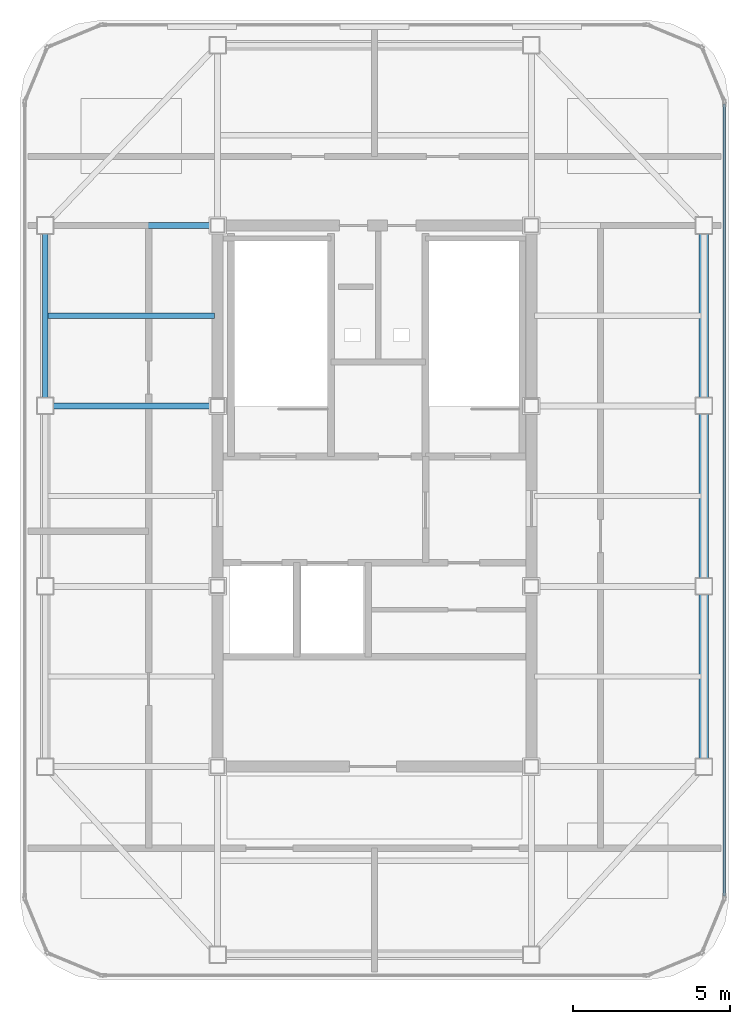
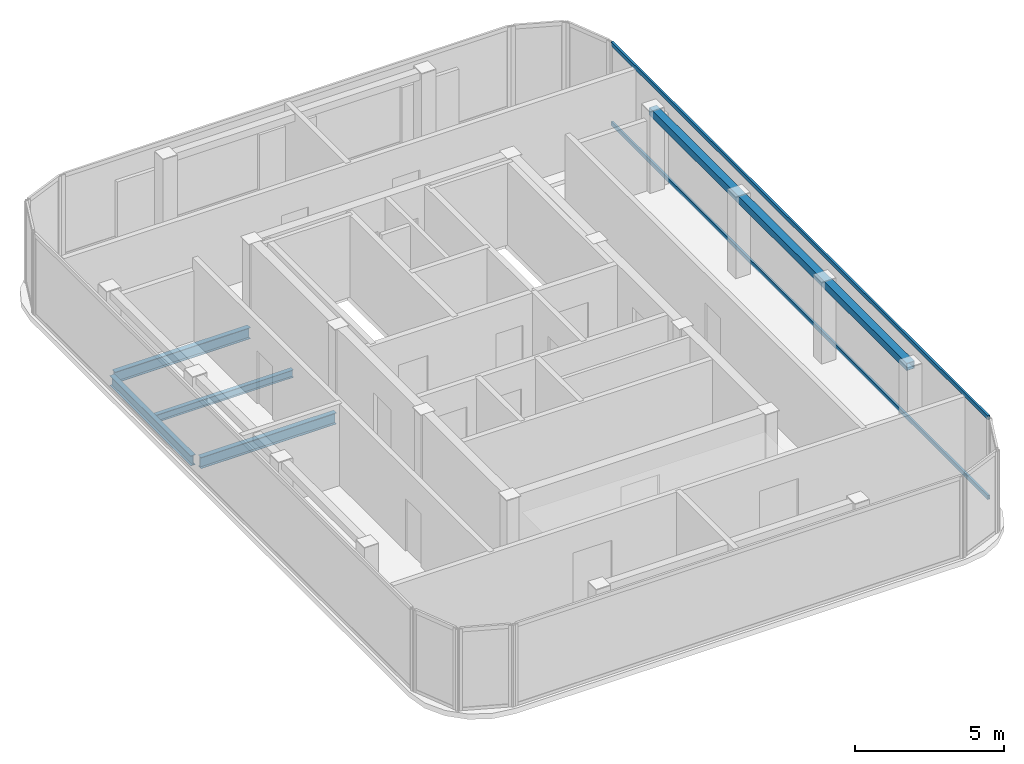
# One storey, part 5 of 11: 4 beams, 3 members, 1 element without a shape of its own.
"""IFC4 building model written with IfcOpenShell, lengths in metres."""

import ifcopenshell
import ifcopenshell.guid

model = None  # the IFC model being written
_history = None  # IfcOwnerHistory: only IFC2X3 demands one
_inside = {}  # id of a spatial element -> (the spatial element, [elements in it])
_under = {}  # id of a project, library or spatial element -> (it, [spatial elements below it])
_declared = {}  # id of a project -> (the project, [libraries it declares])
_typed = {}  # id of a type object -> (the type object, [elements of that type])
_made_of = {}  # id of a material, layer set ... -> (it, [elements and type objects made of it])


def new_model(schema):
    """Start an empty IFC model of exactly this schema.

    Asked for "IFC4X3", IfcOpenShell would pick the latest addendum, in which some entities
    have other attributes; the version numbers below select the first issue.
    IFC2X3 requires an IfcOwnerHistory on every rooted entity: one is made here for all.
    """
    global model, _history
    if schema == "IFC4X3":
        model = ifcopenshell.file(schema_version=(4, 3, 0, 0))
    else:
        model = ifcopenshell.file(schema=schema)
    _inside.clear()
    _under.clear()
    _declared.clear()
    _typed.clear()
    _made_of.clear()
    _history = None
    if model.schema == "IFC2X3":
        org = make("IfcOrganization", Name="unknown")
        user = make(
            "IfcPersonAndOrganization",
            ThePerson=make("IfcPerson", FamilyName="unknown"),
            TheOrganization=org,
        )
        app = make(
            "IfcApplication",
            ApplicationDeveloper=org,
            Version="unknown",
            ApplicationFullName="unknown",
            ApplicationIdentifier="unknown",
        )
        _history = make(
            "IfcOwnerHistory",
            OwningUser=user,
            OwningApplication=app,
            ChangeAction="ADDED",
            CreationDate=0,
        )
    return model


def make(cls, **values):
    """One entity of the class cls with the attributes given. An attribute that is None is left unset."""
    return model.create_entity(
        cls, **{name: value for name, value in values.items() if value is not None}
    )


def rooted(cls, **values):
    """An entity with a GlobalId (a new one), such as an element, a storey or a relation."""
    return make(cls, GlobalId=ifcopenshell.guid.new(), OwnerHistory=_history, **values)


def si_unit(unit_type, name, prefix=None):
    """IfcSIUnit, for example si_unit("LENGTHUNIT", "METRE", prefix="MILLI")."""
    return make("IfcSIUnit", UnitType=unit_type, Prefix=prefix, Name=name)


def assignment(units):
    """IfcUnitAssignment: the units of a project."""
    return None if units is None else make("IfcUnitAssignment", Units=units)


def point(xyz):
    """IfcCartesianPoint."""
    return None if xyz is None else make("IfcCartesianPoint", Coordinates=xyz)


def direction(xyz):
    """IfcDirection."""
    return None if xyz is None else make("IfcDirection", DirectionRatios=xyz)


def frame(location, z_axis=None, x_axis=None):
    """IfcAxis2Placement3D, a coordinate frame: its origin and axes. An axis left out is left unset."""
    return make(
        "IfcAxis2Placement3D",
        Location=point(location),
        Axis=direction(z_axis),
        RefDirection=direction(x_axis),
    )


def frame_2d(location, x_axis=None):
    """IfcAxis2Placement2D, a coordinate frame in the plane: its origin and x axis."""
    return make(
        "IfcAxis2Placement2D", Location=point(location), RefDirection=direction(x_axis)
    )


def origin():
    """The frame at (0, 0, 0) with its axes left unset."""
    return frame((0.0, 0.0, 0.0))


def origin_2d():
    """The frame at (0, 0) in the plane with its x axis left unset."""
    return frame_2d((0.0, 0.0))


def place(relative_to, where):
    """IfcLocalPlacement: puts the frame where relative to a parent placement (None: the world)."""
    return make(
        "IfcLocalPlacement", PlacementRelTo=relative_to, RelativePlacement=where
    )


def context(
    kind, dimensions, precision=None, world=None, true_north=None, identifier=None
):
    """IfcGeometricRepresentationContext, for example the 3D "Model" context."""
    return make(
        "IfcGeometricRepresentationContext",
        ContextIdentifier=identifier,
        ContextType=kind,
        CoordinateSpaceDimension=dimensions,
        Precision=precision,
        WorldCoordinateSystem=world,
        TrueNorth=true_north,
    )


def subcontext(parent, identifier, kind, view, scale=None):
    """IfcGeometricRepresentationSubContext, for example "Body" below "Model"."""
    return make(
        "IfcGeometricRepresentationSubContext",
        ContextIdentifier=identifier,
        ContextType=kind,
        ParentContext=parent,
        TargetScale=scale,
        TargetView=view,
    )


def project(units=None, contexts=None):
    """IfcProject with its units and contexts."""
    return rooted(
        "IfcProject",
        Name="project",
        RepresentationContexts=contexts,
        UnitsInContext=assignment(units),
    )


def spatial(cls, under=None, at=None, **own):
    """A site, building, storey or space (cls), placed at a placement, below another one or the project."""
    s = rooted(cls, ObjectPlacement=at, **own)
    if under is not None:
        _under.setdefault(under.id(), (under, []))[1].append(s)
    return s


def profile(cls, at=None, kind="AREA", **sizes):
    """A parametric profile (cls). Its sizes go by their IFC names, for example OverallWidth=200.0."""
    return make(cls, ProfileType=kind, Position=at, **sizes)


def hollow_rectangle(**sizes):
    """IfcRectangleHollowProfileDef."""
    return profile("IfcRectangleHollowProfileDef", **sizes)


def i_section(**sizes):
    """IfcIShapeProfileDef."""
    return profile("IfcIShapeProfileDef", **sizes)


def extrude(swept, where, along, depth):
    """IfcExtrudedAreaSolid: the profile swept, set in the frame where, extruded along a direction by depth."""
    return make(
        "IfcExtrudedAreaSolid",
        SweptArea=swept,
        Position=where,
        ExtrudedDirection=direction(along),
        Depth=depth,
    )


def shape(context_of_items, identifier, shape_type, items):
    """IfcShapeRepresentation: the items that make up one representation, for example the "Body"."""
    return make(
        "IfcShapeRepresentation",
        ContextOfItems=context_of_items,
        RepresentationIdentifier=identifier,
        RepresentationType=shape_type,
        Items=items,
    )


def source(mapping_origin, context_of_items, identifier, shape_type, items):
    """IfcRepresentationMap: a shape defined once, which mapped items show again and again."""
    return make(
        "IfcRepresentationMap",
        MappingOrigin=mapping_origin,
        MappedRepresentation=shape(context_of_items, identifier, shape_type, items),
    )


def transform(
    local_origin,
    x_axis=None,
    y_axis=None,
    z_axis=None,
    scale=None,
    scale2=None,
    scale3=None,
    uniform=True,
):
    """IfcCartesianTransformationOperator3D, or its non-uniform kind. x_axis, y_axis, z_axis: its Axis1, 2, 3."""
    if uniform:
        return make(
            "IfcCartesianTransformationOperator3D",
            Axis1=direction(x_axis),
            Axis2=direction(y_axis),
            LocalOrigin=point(local_origin),
            Scale=scale,
            Axis3=direction(z_axis),
        )
    return make(
        "IfcCartesianTransformationOperator3DnonUniform",
        Axis1=direction(x_axis),
        Axis2=direction(y_axis),
        LocalOrigin=point(local_origin),
        Scale=scale,
        Axis3=direction(z_axis),
        Scale2=scale2,
        Scale3=scale3,
    )


def mapped(mapping_source, mapping_target):
    """IfcMappedItem: shows the shape of a source again, moved by a transform."""
    return make(
        "IfcMappedItem", MappingSource=mapping_source, MappingTarget=mapping_target
    )


def material(Name=None, Category=None):
    """IfcMaterial."""
    return make("IfcMaterial", Name=Name, Category=Category)


def layer(
    of_material, thickness, ventilated=None, Name=None, Category=None, Priority=None
):
    """IfcMaterialLayer: one layer of a wall or slab, of a material (None: an air gap)."""
    return make(
        "IfcMaterialLayer",
        Material=of_material,
        LayerThickness=thickness,
        IsVentilated=ventilated,
        Name=Name,
        Category=Category,
        Priority=Priority,
    )


def layer_set(layers, Name=None):
    """IfcMaterialLayerSet."""
    return make("IfcMaterialLayerSet", MaterialLayers=layers, LayerSetName=Name)


def material_profile(
    of_material, cross_section, Name=None, Category=None, Priority=None
):
    """IfcMaterialProfile: a cross section and its material."""
    return make(
        "IfcMaterialProfile",
        Name=Name,
        Material=of_material,
        Profile=cross_section,
        Priority=Priority,
        Category=Category,
    )


def profile_set(profiles, Name=None, composite=None):
    """IfcMaterialProfileSet."""
    return make(
        "IfcMaterialProfileSet",
        Name=Name,
        MaterialProfiles=profiles,
        CompositeProfile=composite,
    )


def made_of(thing, what):
    """Note that an element or type object is made of a material, layer set ...; save() writes the relation."""
    if what is not None:
        _made_of.setdefault(what.id(), (what, []))[1].append(thing)
    return thing


def type_object(cls, material=None, **own):
    """A type object (cls), such as IfcWallType, which elements share."""
    return made_of(rooted(cls, **own), material)


def element(
    cls,
    number,
    at=None,
    inside=None,
    cuts=None,
    type_object=None,
    material=None,
    context=None,
    identifier="Body",
    shape_type=None,
    held_by="IfcProductDefinitionShape",
    body=None,
    shapes=None,
    **own,
):
    """One element of the class cls, such as IfcWall. Its Tag is "e" and its number.

    at: its placement. inside: the storey or other place that contains it. cuts: it is an
    opening in that element (IfcRelVoidsElement). A single representation is given by context,
    identifier, shape_type and body (its items); several are given by shapes. held_by: the class
    of the entity that holds the representations. save() writes the other relations.
    """
    e = rooted(cls, Tag="e%d" % number, ObjectPlacement=at, **own)
    if body is not None:
        shapes = [shape(context, identifier, shape_type, body)]
    if shapes is not None:
        e.Representation = make(held_by, Representations=shapes)
    if inside is not None:
        _inside.setdefault(inside.id(), (inside, []))[1].append(e)
    if cuts is not None:
        rooted(
            "IfcRelVoidsElement", RelatingBuildingElement=cuts, RelatedOpeningElement=e
        )
    if type_object is not None:
        _typed.setdefault(type_object.id(), (type_object, []))[1].append(e)
    return made_of(e, material)


def aggregate(whole, parts):
    """IfcRelAggregates: a whole, such as a stair, and the parts it consists of."""
    return rooted("IfcRelAggregates", RelatingObject=whole, RelatedObjects=parts)


def save(model, path):
    """Write the relations noted so far, then the file.

    IfcRelAggregates (storeys below a building ...), IfcRelContainedInSpatialStructure (elements
    in a storey), IfcRelDefinesByType, IfcRelAssociatesMaterial and IfcRelDeclares: one each for
    every whole, place, type object, material and project.
    """
    for whole, parts in _under.values():
        aggregate(whole, parts)
    for where, things in _inside.values():
        rooted(
            "IfcRelContainedInSpatialStructure",
            RelatedElements=things,
            RelatingStructure=where,
        )
    for kind, things in _typed.values():
        rooted("IfcRelDefinesByType", RelatedObjects=things, RelatingType=kind)
    for what, things in _made_of.values():
        rooted("IfcRelAssociatesMaterial", RelatedObjects=things, RelatingMaterial=what)
    for by, libraries in _declared.values():
        rooted("IfcRelDeclares", RelatingContext=by, RelatedDefinitions=libraries)
    model.write(path)


model = new_model("IFC4")

# Units and contexts
model_context = context("Model", 3, precision=1e-05, world=origin(), true_north=direction((0.0, 1.0)))
body_context = subcontext(model_context, "Body", "Model", "MODEL_VIEW")
ifc_project = project(units=[si_unit("LENGTHUNIT", "METRE"), si_unit("AREAUNIT", "SQUARE_METRE"), si_unit("VOLUMEUNIT", "CUBIC_METRE"), si_unit("PLANEANGLEUNIT", "RADIAN"), si_unit("MASSUNIT", "GRAM", prefix="KILO")], contexts=[model_context])

# Site, building, storey
site_placement = place(None, origin())
site = spatial("IfcSite", under=ifc_project, at=site_placement, CompositionType="ELEMENT")
building_placement = place(site_placement, origin())
building = spatial("IfcBuilding", under=site, at=building_placement, Name="Kolveth Station Tower", CompositionType="ELEMENT")
storey_placement = place(building_placement, frame((0.0, 0.0, 292.89990234375)))
storey = spatial("IfcBuildingStorey", under=building, at=storey_placement, Name="L84", CompositionType="ELEMENT", Elevation=292.89990234375)

# Beams
ifc_material_1 = material(Name="Steel S355", Category="steel")
ifc_material_profile_1 = material_profile(ifc_material_1, i_section(OverallWidth=0.180908203125, OverallDepth=0.4169921875, WebThickness=0.010986328125, FlangeThickness=0.018310546875, at=origin_2d()), Name="W410x85")
ifc_profile_set_1 = profile_set([ifc_material_profile_1], Name="Steel S355")
beam_type_1 = type_object("IfcBeamType", Name="Beam_B8", PredefinedType="BEAM", material=ifc_profile_set_1)
shared_shape_1 = source(origin(), body_context, "Body", "SweptSolid", [
    extrude(i_section(OverallWidth=0.180908203125, OverallDepth=0.4169921875, WebThickness=0.010986328125, FlangeThickness=0.018310546875, at=origin_2d()), origin(), (0.0, 0.0, 1.0), 5.43017578125),
])
beam_1_placement = place(storey_placement, frame((13.0, 23.159912109375, -0.428466796875), z_axis=(0.0, 1.0, 0.0), x_axis=(-1.0, 0.0, 0.0)))
element("IfcBeam", 1, at=beam_1_placement, inside=storey, type_object=beam_type_1, Name="L84 Perimeter Spandrel BM-L84-PW-3", PredefinedType="BEAM", context=body_context, shape_type="MappedRepresentation", body=[
    mapped(shared_shape_1, transform((0.0, 0.0, 0.0), x_axis=(1.0, 0.0, 0.0), y_axis=(0.0, 1.0, 0.0), z_axis=(0.0, 0.0, 1.0), scale=1.0)),
])
ifc_material_profile_2 = material_profile(ifc_material_1, i_section(OverallWidth=0.19091796875, OverallDepth=0.4599609375, WebThickness=0.010009765625, FlangeThickness=0.01611328125, at=origin_2d()), Name="W460x82")
ifc_profile_set_2 = profile_set([ifc_material_profile_2], Name="Steel S355")
beam_type_2 = type_object("IfcBeamType", Name="Beam_B7", PredefinedType="BEAM", material=ifc_profile_set_2)
shared_shape_2 = source(origin(), body_context, "Body", "SweptSolid", [
    extrude(i_section(OverallWidth=0.19091796875, OverallDepth=0.4599609375, WebThickness=0.010009765625, FlangeThickness=0.01611328125, at=origin_2d()), origin(), (0.0, 0.0, 1.0), 5.22998046875),
])
for number, where, z_axis, x_axis, name in (
    (2, (13.159912109375, 23.0, -0.449951171875), (1.0, 0.0, 0.0), (0.0, 1.0, 0.0), "L84 Primary Girder BM-L84-GY230-1"),
    (3, (13.159912109375, 28.75, -0.449951171875), (1.0, 0.0, 0.0), (0.0, 1.0, 0.0), "L84 Primary Girder BM-L84-GY287-1"),
):
    element("IfcBeam", number, at=place(storey_placement, frame(where, z_axis=z_axis, x_axis=x_axis)), inside=storey, type_object=beam_type_2, Name=name, PredefinedType="BEAM", context=body_context, shape_type="MappedRepresentation", body=[
        mapped(shared_shape_2, transform((0.0, 0.0, 0.0), x_axis=(1.0, 0.0, 0.0), y_axis=(0.0, 1.0, 0.0), z_axis=(0.0, 0.0, 1.0), scale=1.0)),
    ])
ifc_material_profile_3 = material_profile(ifc_material_1, i_section(OverallWidth=0.1650390625, OverallDepth=0.31005859375, WebThickness=0.005859375, FlangeThickness=0.009765625, at=origin_2d()), Name="W310x39")
ifc_profile_set_3 = profile_set([ifc_material_profile_3], Name="Steel S355")
beam_type_3 = type_object("IfcBeamType", Name="Beam_J3", PredefinedType="JOIST", material=ifc_profile_set_3)
shared_shape_3 = source(origin(), body_context, "Body", "SweptSolid", [
    extrude(i_section(OverallWidth=0.1650390625, OverallDepth=0.31005859375, WebThickness=0.005859375, FlangeThickness=0.009765625, at=origin_2d()), origin(), (0.0, 0.0, 1.0), 5.318115234375),
])
beam_2_placement = place(storey_placement, frame((13.08837890625, 25.875, -0.375), z_axis=(1.0, 0.0, 0.0), x_axis=(0.0, 1.0, 0.0)))
element("IfcBeam", 4, at=beam_2_placement, inside=storey, type_object=beam_type_3, Name="L84 Secondary Joist JST-L84-1-4", PredefinedType="JOIST", context=body_context, shape_type="MappedRepresentation", body=[
    mapped(shared_shape_3, transform((0.0, 0.0, 0.0), x_axis=(1.0, 0.0, 0.0), y_axis=(0.0, 1.0, 0.0), z_axis=(0.0, 0.0, 1.0), scale=1.0)),
])

# Member
ifc_material_profile_4 = material_profile(ifc_material_1, hollow_rectangle(XDim=0.300048828125, YDim=0.300048828125, WallThickness=0.01611328125, at=origin_2d()), Name="CROWN-HSS300x300x16")
ifc_profile_set_4 = profile_set([ifc_material_profile_4], Name="Steel S355")
member_type_1 = type_object("IfcMemberType", Name="Mem_CF1", PredefinedType="CHORD", material=ifc_profile_set_4)
shared_shape_4 = source(origin(), body_context, "Body", "SweptSolid", [
    extrude(hollow_rectangle(XDim=0.300048828125, YDim=0.300048828125, WallThickness=0.01611328125, at=origin_2d()), origin(), (0.0, 0.0, 1.0), 17.25),
])
member_1_placement = place(storey_placement, frame((34.0, 11.5, 3.150146484375), z_axis=(0.0, 1.0, 0.0), x_axis=(-1.0, 0.0, 0.0)))
element("IfcMember", 5, at=member_1_placement, inside=storey, type_object=member_type_1, Name="L84 Crown Frame Ring Chord 4", PredefinedType="CHORD", context=body_context, shape_type="MappedRepresentation", body=[
    mapped(shared_shape_4, transform((0.0, 0.0, 0.0), x_axis=(1.0, 0.0, 0.0), y_axis=(0.0, 1.0, 0.0), z_axis=(0.0, 0.0, 1.0), scale=1.0)),
])

# Curtain wall, members
ifc_material_2 = material(Name="Black anodized aluminium 6063-T6 and dark crown glass", Category="aluminium")
ifc_layer = layer(ifc_material_2, 0.169921875)
ifc_layer_set = layer_set([ifc_layer], Name="Black anodized aluminium 6063-T6 and dark crown glass")
curtain_wall_type = type_object("IfcCurtainWallType", Name="CurtainWall_CW-CR", PredefinedType="NOTDEFINED", material=ifc_layer_set)
curtain_wall_placement = place(storey_placement, origin())
curtain_wall = element("IfcCurtainWall", 6, at=curtain_wall_placement, inside=storey, type_object=curtain_wall_type, Name="L84 Stepped Crown Curtain Wall 3", PredefinedType="NOTDEFINED")
ifc_material_3 = material(Name="Black anodized aluminium 6063-T6", Category="aluminium")
ifc_material_profile_5 = material_profile(ifc_material_3, hollow_rectangle(XDim=0.080078125, YDim=0.1650390625, WallThickness=0.0048828125, at=origin_2d()), Name="ALU-80x165x5")
ifc_profile_set_5 = profile_set([ifc_material_profile_5], Name="Black anodized aluminium 6063-T6")
member_type_2 = type_object("IfcMemberType", Name="Transom_TR-CR", PredefinedType="USERDEFINED", material=ifc_profile_set_5)
shared_shape_5 = source(origin(), body_context, "Body", "SweptSolid", [
    extrude(hollow_rectangle(XDim=0.080078125, YDim=0.1650390625, WallThickness=0.0048828125, at=origin_2d()), origin(), (0.0, 0.0, 1.0), 25.22998046875),
])
member_2_placement = place(storey_placement, frame((34.64990234375, 7.385009765625, 0.0400390625), z_axis=(0.0, 1.0, 0.0), x_axis=(-1.0, 0.0, 0.0)))
member_2 = element("IfcMember", 7, at=member_2_placement, type_object=member_type_2, Name="CW-CR transom 1.1", ObjectType="TRANSOM", PredefinedType="USERDEFINED", context=body_context, shape_type="MappedRepresentation", body=[
    mapped(shared_shape_5, transform((0.0, 0.0, 0.0), x_axis=(1.0, 0.0, 0.0), y_axis=(0.0, 1.0, 0.0), z_axis=(0.0, 0.0, 1.0), scale=1.0)),
])
member_3_placement = place(storey_placement, frame((34.64990234375, 7.385009765625, 3.300048828125), z_axis=(0.0, 1.0, 0.0), x_axis=(-1.0, 0.0, 0.0)))
member_3 = element("IfcMember", 8, at=member_3_placement, type_object=member_type_2, Name="CW-CR transom 1.2", ObjectType="TRANSOM", PredefinedType="USERDEFINED", context=body_context, shape_type="MappedRepresentation", body=[
    mapped(shared_shape_5, transform((0.0, 0.0, 0.0), x_axis=(1.0, 0.0, 0.0), y_axis=(0.0, 1.0, 0.0), z_axis=(0.0, 0.0, 1.0), scale=1.0)),
])
aggregate(curtain_wall, [member_2, member_3])

save(model, "model.ifc")
